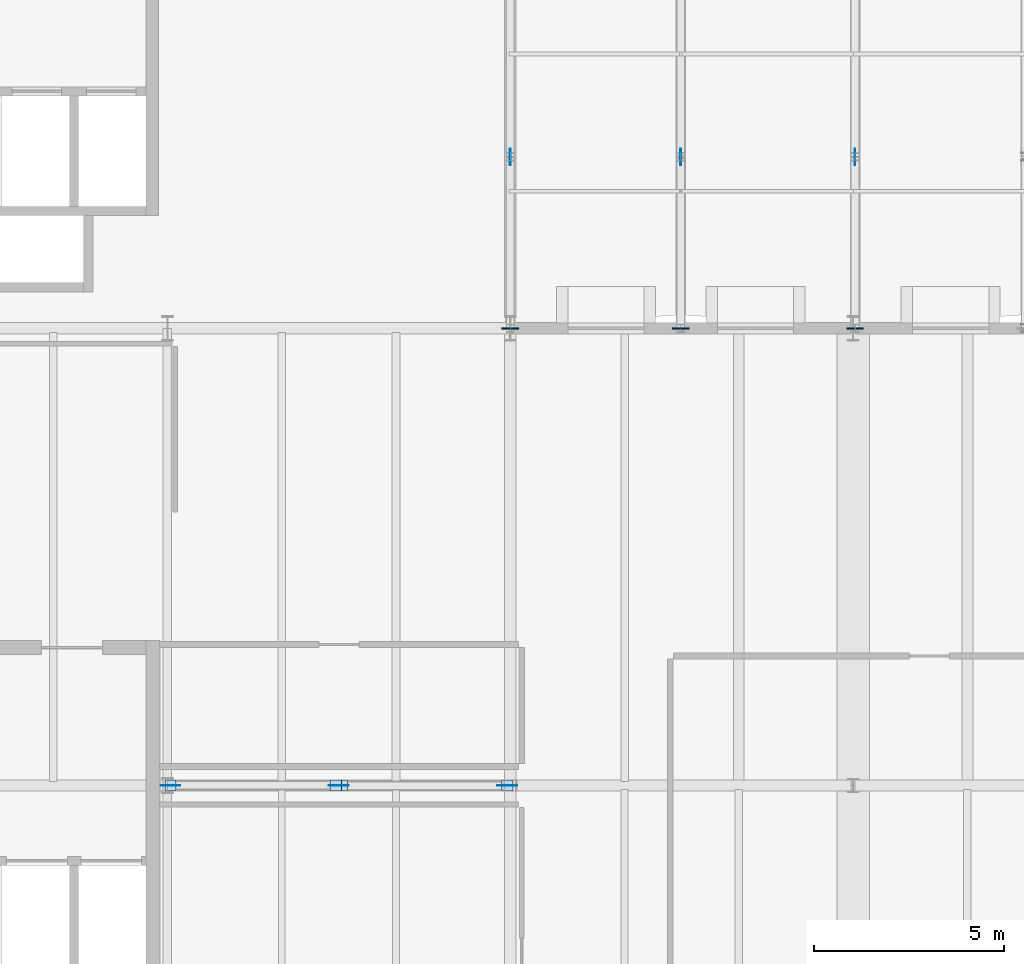
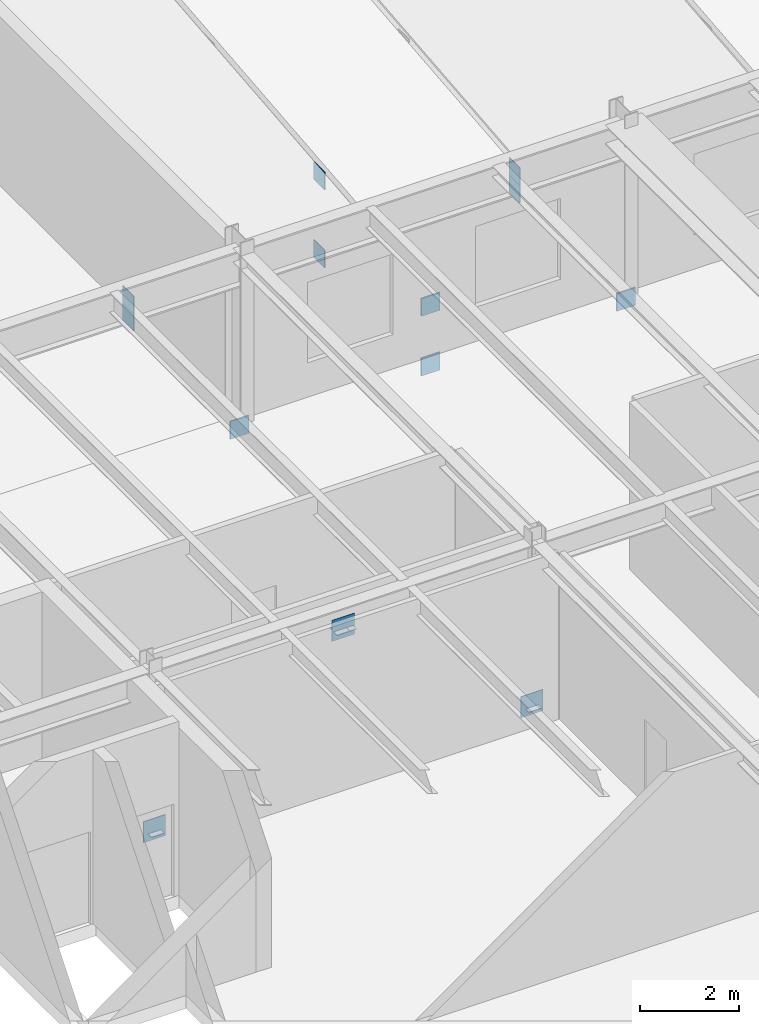
# One storey, part 108 of 142: 17 plates.
"""IFC4 building model written with IfcOpenShell, lengths in metres."""

from ifc_helpers import new_model, si_unit, direction, frame, origin, origin_2d, place, context, subcontext, project, spatial, rectangle, extrude, material, layer, layer_set, type_object, element, save


model = new_model("IFC4")

# Units and contexts
model_context = context("Model", 3, precision=1e-05, world=origin(), true_north=direction((0.0, 1.0)))
body_context = subcontext(model_context, "Body", "Model", "MODEL_VIEW")
ifc_project = project(units=[si_unit("LENGTHUNIT", "METRE"), si_unit("AREAUNIT", "SQUARE_METRE"), si_unit("VOLUMEUNIT", "CUBIC_METRE"), si_unit("PLANEANGLEUNIT", "RADIAN"), si_unit("MASSUNIT", "GRAM", prefix="KILO")], contexts=[model_context])

# Site, building, storey
site_placement = place(None, origin())
site = spatial("IfcSite", under=ifc_project, at=site_placement, CompositionType="ELEMENT")
building_placement = place(site_placement, origin())
building = spatial("IfcBuilding", under=site, at=building_placement, Name="Montelvaro Courts of Justice", CompositionType="ELEMENT")
storey_placement = place(building_placement, frame((0.0, 0.0, 14.39990234375)))
storey = spatial("IfcBuildingStorey", under=building, at=storey_placement, Name="L03", CompositionType="ELEMENT", Elevation=14.39990234375)

# Plates
ifc_material = material(Name="Steel S355", Category="steel")
ifc_layer_1 = layer(ifc_material, 0.011962890625)
ifc_layer_set_1 = layer_set([ifc_layer_1], Name="Steel S355")
plate_type_1 = type_object("IfcPlateType", Name="EndCapPlate_12", PredefinedType="USERDEFINED", material=ifc_layer_set_1)
for number, where, z_axis, x_axis, name in (
    (1, (63.080078125, 12.0, 0.07421875), (0.0, 0.0, 1.0), (1.0, 0.0, 0.0), "Brace End Cap Plate CP-01 CBF1-L03-1A"),
    (2, (67.419921875, 12.0, 3.55419921875), (0.0, 0.0, 1.0), (1.0, 0.0, 0.0), "Brace End Cap Plate CP-01 CBF1-L03-1B"),
    (3, (71.919921875, 12.0, 0.07421875), (0.0, 0.0, 1.0), (1.0, 0.0, 0.0), "Brace End Cap Plate CP-01 CBF1-L03-2A"),
    (4, (67.580078125, 12.0, 3.55419921875), (0.0, 0.0, 1.0), (1.0, 0.0, 0.0), "Brace End Cap Plate CP-01 CBF1-L03-2B"),
):
    element("IfcPlate", number, at=place(storey_placement, frame(where, z_axis=z_axis, x_axis=x_axis)), inside=storey, type_object=plate_type_1, Name=name, ObjectType="GUSSET PLATE", PredefinedType="USERDEFINED", context=body_context, shape_type="SweptSolid", body=[
        extrude(rectangle(XDim=0.300048828125, YDim=0.300048828125, at=origin_2d()), origin(), (0.0, 0.0, 1.0), 0.011962890625),
    ])
ifc_layer_2 = layer(ifc_material, 0.035888671875)
ifc_layer_set_2 = layer_set([ifc_layer_2], Name="Steel S355")
plate_type_2 = type_object("IfcPlateType", Name="EndCapPlate_36", PredefinedType="USERDEFINED", material=ifc_layer_set_2)
for number, where, z_axis, x_axis, name in (
    (5, (72.0, 24.0, -0.519775390625), (0.0, 0.0, 1.0), (1.0, 0.0, 0.0), "Roof Truss End Cap Plate CP-02 ROOF-PASSAGE-S-VTR01-B0"),
    (6, (81.050048828125, 24.0, -0.519775390625), (0.0, 0.0, 1.0), (1.0, 0.0, 0.0), "Roof Truss End Cap Plate CP-02 ROOF-PASSAGE-S-VTR02-B0"),
    (7, (76.47509765625, 24.0, -0.519775390625), (0.0, 0.0, 1.0), (1.0, 0.0, 0.0), "Roof Truss End Cap Plate CP-02 ROOF-PASSAGE-S-RTR01-B0"),
    (8, (76.47509765625, 24.0, 0.960205078125), (0.0, 0.0, 1.0), (1.0, 0.0, 0.0), "Roof Truss End Cap Plate CP-02 ROOF-PASSAGE-S-RTR01-T0"),
):
    element("IfcPlate", number, at=place(storey_placement, frame(where, z_axis=z_axis, x_axis=x_axis)), inside=storey, type_object=plate_type_2, Name=name, ObjectType="GUSSET PLATE", PredefinedType="USERDEFINED", context=body_context, shape_type="SweptSolid", body=[
        extrude(rectangle(XDim=0.43994140625, YDim=0.035888671875, at=origin_2d()), origin(), (0.0, 0.0, 1.0), 0.43994140625),
    ])
ifc_layer_3 = layer(ifc_material, 0.02001953125)
ifc_layer_set_3 = layer_set([ifc_layer_3], Name="Steel S355")
plate_type_3 = type_object("IfcPlateType", Name="GussetPlate_20", PredefinedType="USERDEFINED", material=ifc_layer_set_3)
for number, where, z_axis, x_axis, name in (
    (9, (63.080078125, 12.0, -0.099853515625), (0.0, 0.0, 1.0), (1.0, 0.0, 0.0), "Chevron Brace Base Gusset Plate GP-01 CBF1-L03-B1"),
    (10, (71.919921875, 12.0, -0.099853515625), (0.0, 0.0, 1.0), (1.0, 0.0, 0.0), "Chevron Brace Base Gusset Plate GP-01 CBF1-L03-B2"),
    (11, (67.5, 12.0, 3.340087890625), (0.0, 0.0, 1.0), (1.0, 0.0, 0.0), "Chevron Brace Gusset Plate GP-01 CBF1-L03"),
):
    element("IfcPlate", number, at=place(storey_placement, frame(where, z_axis=z_axis, x_axis=x_axis)), inside=storey, type_object=plate_type_3, Name=name, ObjectType="GUSSET PLATE", PredefinedType="USERDEFINED", context=body_context, shape_type="SweptSolid", body=[
        extrude(rectangle(XDim=0.52001953125, YDim=0.02001953125, at=origin_2d()), origin(), (0.0, 0.0, 1.0), 0.52001953125),
    ])
for number, where, z_axis, x_axis, name in (
    (12, (72.0, 28.5, -0.519775390625), (0.0, 0.0, 1.0), (1.0, 0.0, 0.0), "Roof Truss Gusset Plate GP-01 ROOF-PASSAGE-S-VTR01-1B"),
    (13, (72.0, 28.5, -0.08984375), (0.0, 0.0, 1.0), (1.0, 0.0, 0.0), "Roof Truss Gusset Plate GP-01 ROOF-PASSAGE-S-VTR01-1T"),
    (14, (81.050048828125, 28.5, -0.519775390625), (0.0, 0.0, 1.0), (1.0, 0.0, 0.0), "Roof Truss Gusset Plate GP-01 ROOF-PASSAGE-S-VTR02-1B"),
    (15, (81.050048828125, 28.5, -0.08984375), (0.0, 0.0, 1.0), (1.0, 0.0, 0.0), "Roof Truss Gusset Plate GP-01 ROOF-PASSAGE-S-VTR02-1T"),
    (16, (76.47509765625, 28.5, -0.519775390625), (0.0, 0.0, 1.0), (1.0, 0.0, 0.0), "Roof Truss Gusset Plate GP-01 ROOF-PASSAGE-S-RTR01-1B"),
    (17, (76.47509765625, 28.5, 1.41015625), (0.0, 0.0, 1.0), (1.0, 0.0, 0.0), "Roof Truss Gusset Plate GP-01 ROOF-PASSAGE-S-RTR01-1T"),
):
    element("IfcPlate", number, at=place(storey_placement, frame(where, z_axis=z_axis, x_axis=x_axis)), inside=storey, type_object=plate_type_3, Name=name, ObjectType="GUSSET PLATE", PredefinedType="USERDEFINED", context=body_context, shape_type="SweptSolid", body=[
        extrude(rectangle(XDim=0.02001953125, YDim=0.43994140625, at=origin_2d()), origin(), (0.0, 0.0, 1.0), 0.43994140625),
    ])

save(model, "model.ifc")
